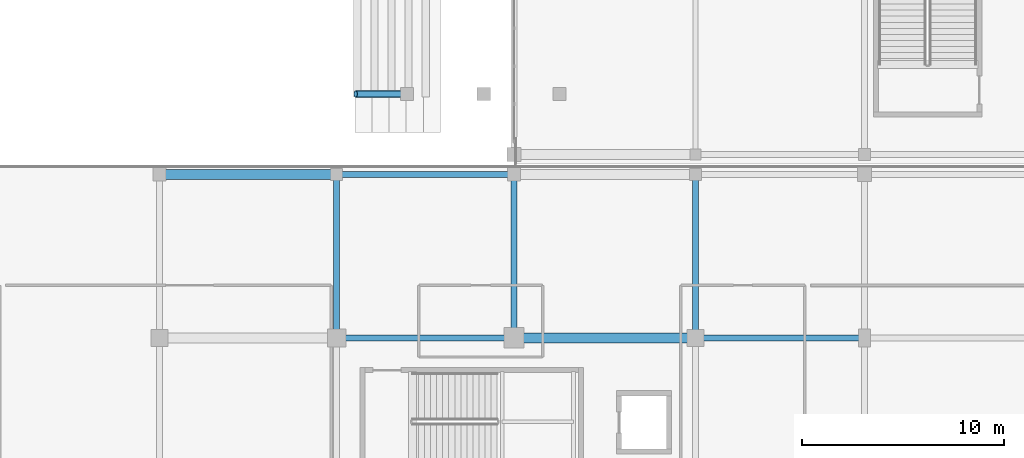
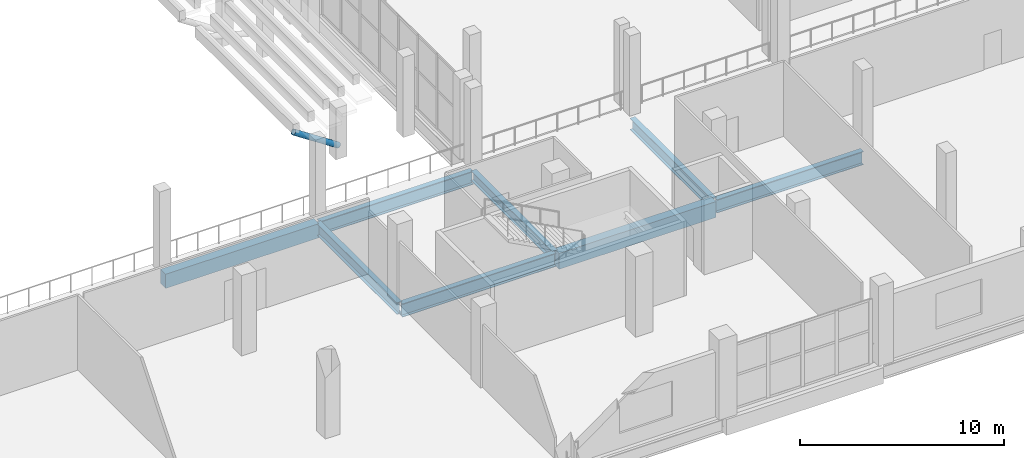
# One storey, part 42 of 142: 8 beams, 1 member.
"""IFC4 building model written with IfcOpenShell, lengths in metres."""

from ifc_helpers import new_model, si_unit, direction, frame, origin, origin_2d, place, context, subcontext, project, spatial, rectangle, hollow_circle, i_section, extrude, material, material_profile, profile_set, type_object, element, save


model = new_model("IFC4")

# Units and contexts
model_context = context("Model", 3, precision=1e-05, world=origin(), true_north=direction((0.0, 1.0)))
body_context = subcontext(model_context, "Body", "Model", "MODEL_VIEW")
ifc_project = project(units=[si_unit("LENGTHUNIT", "METRE"), si_unit("AREAUNIT", "SQUARE_METRE"), si_unit("VOLUMEUNIT", "CUBIC_METRE"), si_unit("PLANEANGLEUNIT", "RADIAN"), si_unit("MASSUNIT", "GRAM", prefix="KILO")], contexts=[model_context])

# Site, building, storey
site_placement = place(None, origin())
site = spatial("IfcSite", under=ifc_project, at=site_placement, CompositionType="ELEMENT")
building_placement = place(site_placement, origin())
building = spatial("IfcBuilding", under=site, at=building_placement, Name="Koshinbarg Plaza Stadium", CompositionType="ELEMENT")
storey_placement = place(building_placement, frame((0.0, 0.0, 10.199951171875)))
storey = spatial("IfcBuildingStorey", under=building, at=storey_placement, Name="L02", CompositionType="ELEMENT", Elevation=10.199951171875)

# Beams
ifc_material_1 = material(Name="Concrete C40/50", Category="concrete")
ifc_material_profile_1 = material_profile(ifc_material_1, rectangle(XDim=0.5, YDim=0.85009765625, at=origin_2d()), Name="RC 500x850")
ifc_profile_set_1 = profile_set([ifc_material_profile_1], Name="Concrete C40/50")
beam_type_1 = type_object("IfcBeamType", Name="BM-RCG-05", PredefinedType="USERDEFINED", material=ifc_profile_set_1)
beam_1_placement = place(storey_placement, frame((162.860107421875, 24.5, -0.724853515625), z_axis=(1.0, 0.0, 0.0), x_axis=(0.0, 1.0, 0.0)))
element("IfcBeam", 1, at=beam_1_placement, inside=storey, type_object=beam_type_1, Name="L02 X girder D/15-16", ObjectType="GIRDER", PredefinedType="USERDEFINED", context=body_context, shape_type="SweptSolid", body=[
    extrude(rectangle(XDim=0.5, YDim=0.85009765625, at=origin_2d()), origin(), (0.0, 0.0, 1.0), 8.679931640625),
])
ifc_material_profile_2 = material_profile(ifc_material_1, rectangle(XDim=0.5, YDim=0.949951171875, at=origin_2d()), Name="RC 500x950")
ifc_profile_set_2 = profile_set([ifc_material_profile_2], Name="Concrete C40/50")
beam_type_2 = type_object("IfcBeamType", Name="BM-RCG-06", PredefinedType="USERDEFINED", material=ifc_profile_set_2)
beam_2_placement = place(storey_placement, frame((180.4599609375, 16.39990234375, -0.77490234375), z_axis=(1.0, 0.0, 0.0), x_axis=(0.0, 1.0, 0.0)))
element("IfcBeam", 2, at=beam_2_placement, inside=storey, type_object=beam_type_2, Name="L02 X girder C/17-18", ObjectType="GIRDER", PredefinedType="USERDEFINED", context=body_context, shape_type="SweptSolid", body=[
    extrude(rectangle(XDim=0.5, YDim=0.949951171875, at=origin_2d()), origin(), (0.0, 0.0, 1.0), 8.880126953125),
])
ifc_material_2 = material(Name="Steel S355", Category="steel")
ifc_material_profile_3 = material_profile(ifc_material_2, i_section(OverallWidth=0.300048828125, OverallDepth=0.60009765625, WebThickness=0.015380859375, FlangeThickness=0.030029296875, at=origin_2d()), Name="HEB 600")
ifc_profile_set_3 = profile_set([ifc_material_profile_3], Name="Steel S355")
beam_type_3 = type_object("IfcBeamType", Name="BM-SGIR-02", PredefinedType="USERDEFINED", material=ifc_profile_set_3)
beam_3_placement = place(storey_placement, frame((180.39990234375, 16.4599609375, -0.599853515625), z_axis=(0.0, 1.0, 0.0), x_axis=(-1.0, 0.0, 0.0)))
element("IfcBeam", 3, at=beam_3_placement, inside=storey, type_object=beam_type_3, Name="L02 Y girder 17/C-D", ObjectType="GIRDER", PredefinedType="USERDEFINED", context=body_context, shape_type="SweptSolid", body=[
    extrude(i_section(OverallWidth=0.300048828125, OverallDepth=0.60009765625, WebThickness=0.015380859375, FlangeThickness=0.030029296875, at=origin_2d()), origin(), (0.0, 0.0, 1.0), 7.97998046875),
])
ifc_material_profile_4 = material_profile(ifc_material_2, i_section(OverallWidth=0.300048828125, OverallDepth=0.699951171875, WebThickness=0.01708984375, FlangeThickness=0.031982421875, at=origin_2d()), Name="HEB 700")
ifc_profile_set_4 = profile_set([ifc_material_profile_4], Name="Steel S355")
beam_type_4 = type_object("IfcBeamType", Name="BM-SGIR-03", PredefinedType="USERDEFINED", material=ifc_profile_set_4)
for number, where, z_axis, x_axis, name in (
    (4, (171.60009765625, 16.4599609375, -0.64990234375), (0.0, 1.0, 0.0), (-1.0, 0.0, 0.0), "L02 Y girder 16/C-D"),
    (5, (189.39990234375, 16.4599609375, -0.64990234375), (0.0, 1.0, 0.0), (-1.0, 0.0, 0.0), "L02 Y girder 18/C-D"),
):
    element("IfcBeam", number, at=place(storey_placement, frame(where, z_axis=z_axis, x_axis=x_axis)), inside=storey, type_object=beam_type_4, Name=name, ObjectType="GIRDER", PredefinedType="USERDEFINED", context=body_context, shape_type="SweptSolid", body=[
        extrude(i_section(OverallWidth=0.300048828125, OverallDepth=0.699951171875, WebThickness=0.01708984375, FlangeThickness=0.031982421875, at=origin_2d()), origin(), (0.0, 0.0, 1.0), 7.97998046875),
    ])
ifc_material_profile_5 = material_profile(ifc_material_2, i_section(OverallWidth=0.300048828125, OverallDepth=0.800048828125, WebThickness=0.017578125, FlangeThickness=0.032958984375, at=origin_2d()), Name="HEB 800")
ifc_profile_set_5 = profile_set([ifc_material_profile_5], Name="Steel S355")
beam_type_5 = type_object("IfcBeamType", Name="BM-SGIR-04", PredefinedType="USERDEFINED", material=ifc_profile_set_5)
beam_4_placement = place(storey_placement, frame((171.659912109375, 16.39990234375, -0.699951171875), z_axis=(1.0, 0.0, 0.0), x_axis=(0.0, 1.0, 0.0)))
element("IfcBeam", 6, at=beam_4_placement, inside=storey, type_object=beam_type_5, Name="L02 X girder C/16-17", ObjectType="GIRDER", PredefinedType="USERDEFINED", context=body_context, shape_type="SweptSolid", body=[
    extrude(i_section(OverallWidth=0.300048828125, OverallDepth=0.800048828125, WebThickness=0.017578125, FlangeThickness=0.032958984375, at=origin_2d()), origin(), (0.0, 0.0, 1.0), 8.68017578125),
])
beam_5_placement = place(storey_placement, frame((189.4599609375, 16.39990234375, -0.699951171875), z_axis=(1.0, 0.0, 0.0), x_axis=(0.0, 1.0, 0.0)))
element("IfcBeam", 7, at=beam_5_placement, inside=storey, type_object=beam_type_5, Name="L02 X girder C/18-19", ObjectType="GIRDER", PredefinedType="USERDEFINED", context=body_context, shape_type="SweptSolid", body=[
    extrude(i_section(OverallWidth=0.300048828125, OverallDepth=0.800048828125, WebThickness=0.017578125, FlangeThickness=0.032958984375, at=origin_2d()), origin(), (0.0, 0.0, 1.0), 8.280029296875),
])
beam_6_placement = place(storey_placement, frame((171.659912109375, 24.5, -0.699951171875), z_axis=(1.0, 0.0, 0.0), x_axis=(0.0, 1.0, 0.0)))
element("IfcBeam", 8, at=beam_6_placement, inside=storey, type_object=beam_type_5, Name="L02 X girder D/16-17", ObjectType="GIRDER", PredefinedType="USERDEFINED", context=body_context, shape_type="SweptSolid", body=[
    extrude(i_section(OverallWidth=0.300048828125, OverallDepth=0.800048828125, WebThickness=0.017578125, FlangeThickness=0.032958984375, at=origin_2d()), origin(), (0.0, 0.0, 1.0), 8.68017578125),
])

# Member
ifc_material_profile_6 = material_profile(ifc_material_2, hollow_circle(Radius=0.161865234375, WallThickness=0.01416015625, at=origin_2d()), Name="CHS 323.9x14.2")
ifc_profile_set_6 = profile_set([ifc_material_profile_6], Name="Steel S355")
member_type = type_object("IfcMemberType", Name="MB-BRACE-01", PredefinedType="BRACE", material=ifc_profile_set_6)
member_placement = place(storey_placement, frame((175.080078125, 28.5, 0.582763671875), z_axis=(-0.8349280335, 0.0, 0.550359136269), x_axis=(0.0, -1.0, 0.0)))
element("IfcMember", 9, at=member_placement, inside=storey, type_object=member_type, Name="Upper tier cantilever knee strut UT-E01-L", PredefinedType="BRACE", context=body_context, shape_type="SweptSolid", body=[
    extrude(hollow_circle(Radius=0.161865234375, WallThickness=0.01416015625, at=origin_2d()), origin(), (0.0, 0.0, 1.0), 3.042236328125),
])

save(model, "model.ifc")
